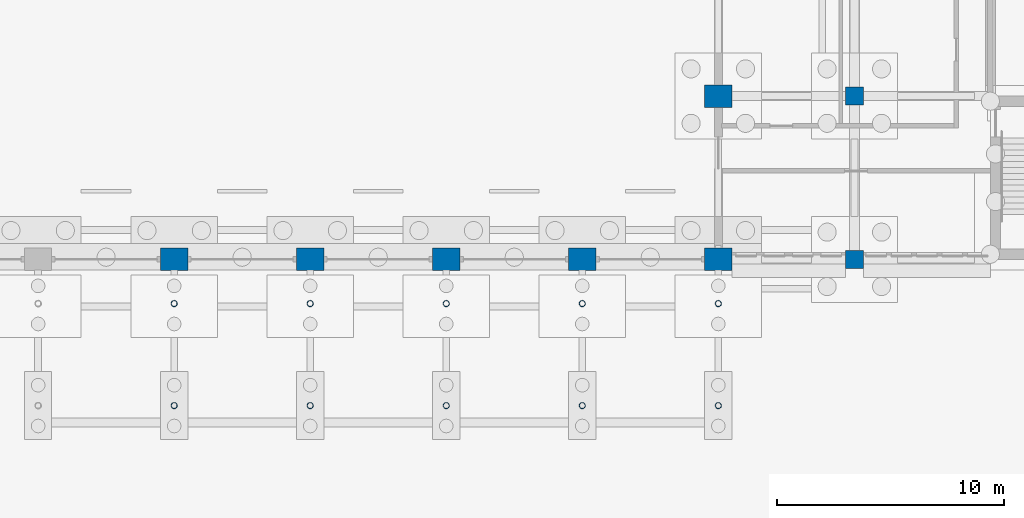
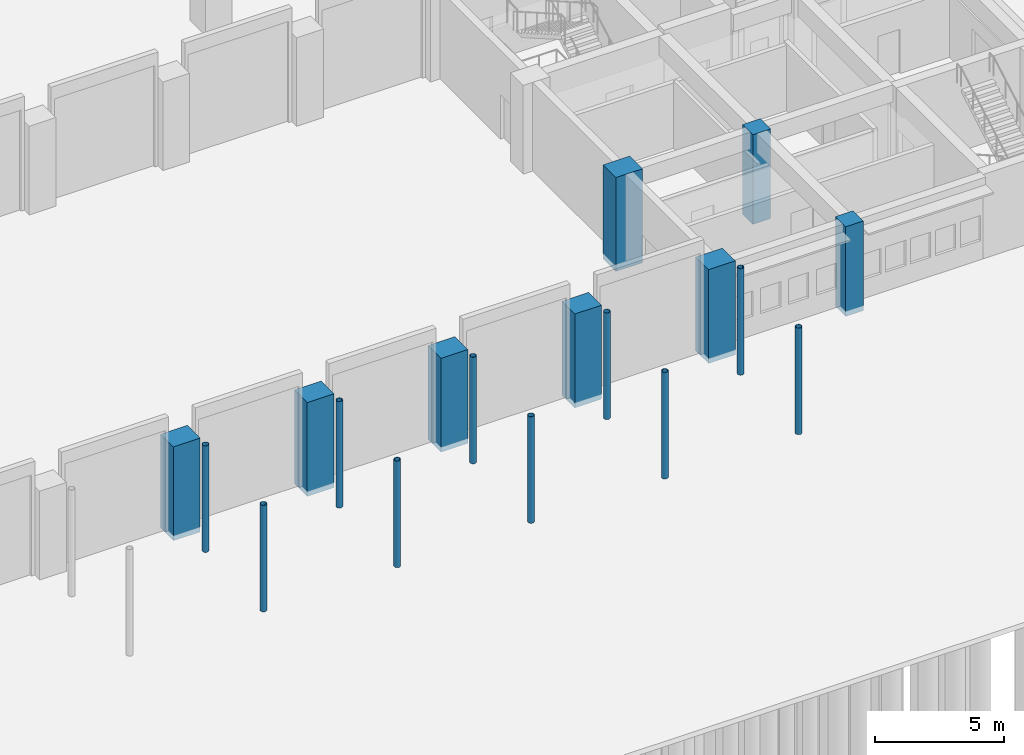
# One storey, part 10 of 37: 18 columns.
"""IFC4 building model written with IfcOpenShell, lengths in metres."""

from ifc_helpers import new_model, si_unit, direction, frame, origin, origin_2d, place, context, subcontext, project, spatial, rectangle, hollow_circle, extrude, material, material_profile, profile_set, type_object, element, save


model = new_model("IFC4")

# Units and contexts
model_context = context("Model", 3, precision=1e-05, world=origin(), true_north=direction((0.0, 1.0)))
body_context = subcontext(model_context, "Body", "Model", "MODEL_VIEW")
ifc_project = project(units=[si_unit("LENGTHUNIT", "METRE"), si_unit("AREAUNIT", "SQUARE_METRE"), si_unit("VOLUMEUNIT", "CUBIC_METRE"), si_unit("PLANEANGLEUNIT", "RADIAN"), si_unit("MASSUNIT", "GRAM", prefix="KILO")], contexts=[model_context])

# Site, building, storey
site_placement = place(None, origin())
site = spatial("IfcSite", under=ifc_project, at=site_placement, CompositionType="ELEMENT")
building_placement = place(site_placement, origin())
building = spatial("IfcBuilding", under=site, at=building_placement, Name="Laocheng Heights Fire and Rescue Headquarters", CompositionType="ELEMENT")
storey_placement = place(building_placement, origin())
storey = spatial("IfcBuildingStorey", under=building, at=storey_placement, Name="L00", CompositionType="ELEMENT", Elevation=0.0)

# Columns
ifc_material_1 = material(Name="Steel Q355B", Category="steel")
ifc_material_profile_1 = material_profile(ifc_material_1, hollow_circle(Radius=0.136474609375, WallThickness=0.011962890625, at=origin_2d()), Name="CHS 273x12")
ifc_profile_set_1 = profile_set([ifc_material_profile_1], Name="Steel Q355B")
column_type_1 = type_object("IfcColumnType", Name="APRON CANOPY COLUMN CHS 273x12", PredefinedType="COLUMN", material=ifc_profile_set_1)
for number, where, z_axis, x_axis, name in (
    (1, (30.0, -6.449951171875, -0.12890625), (0.0, 0.0, 1.0), (1.0, 0.0, 0.0), "Apron canopy column"),
    (2, (36.0, -6.449951171875, -0.12890625), (0.0, 0.0, 1.0), (1.0, 0.0, 0.0), "Apron canopy column"),
    (3, (42.0, -6.449951171875, -0.12890625), (0.0, 0.0, 1.0), (1.0, 0.0, 0.0), "Apron canopy column"),
    (4, (48.0, -6.449951171875, -0.12890625), (0.0, 0.0, 1.0), (1.0, 0.0, 0.0), "Apron canopy column"),
    (5, (54.0, -6.449951171875, -0.12890625), (0.0, 0.0, 1.0), (1.0, 0.0, 0.0), "Apron canopy column"),
):
    element("IfcColumn", number, at=place(storey_placement, frame(where, z_axis=z_axis, x_axis=x_axis)), inside=storey, type_object=column_type_1, Name=name, PredefinedType="COLUMN", context=body_context, shape_type="SweptSolid", body=[
        extrude(hollow_circle(Radius=0.136474609375, WallThickness=0.011962890625, at=origin_2d()), origin(), (0.0, 0.0, 1.0), 5.049072265625),
    ])
for number, where, z_axis, x_axis, name in (
    (6, (30.0, -1.949951171875, -0.0390625), (0.0, 0.0, 1.0), (1.0, 0.0, 0.0), "Apron canopy column"),
    (7, (36.0, -1.949951171875, -0.0390625), (0.0, 0.0, 1.0), (1.0, 0.0, 0.0), "Apron canopy column"),
    (8, (42.0, -1.949951171875, -0.0390625), (0.0, 0.0, 1.0), (1.0, 0.0, 0.0), "Apron canopy column"),
    (9, (48.0, -1.949951171875, -0.0390625), (0.0, 0.0, 1.0), (1.0, 0.0, 0.0), "Apron canopy column"),
    (10, (54.0, -1.949951171875, -0.0390625), (0.0, 0.0, 1.0), (1.0, 0.0, 0.0), "Apron canopy column"),
):
    element("IfcColumn", number, at=place(storey_placement, frame(where, z_axis=z_axis, x_axis=x_axis)), inside=storey, type_object=column_type_1, Name=name, PredefinedType="COLUMN", context=body_context, shape_type="SweptSolid", body=[
        extrude(hollow_circle(Radius=0.136474609375, WallThickness=0.011962890625, at=origin_2d()), origin(), (0.0, 0.0, 1.0), 5.04931640625),
    ])
ifc_material_2 = material(Name="Concrete C60", Category="concrete")
ifc_material_profile_2 = material_profile(ifc_material_2, rectangle(XDim=1.199951171875, YDim=1.0, at=origin_2d()), Name="RC COLUMN 1200x1000 BAY PIER")
ifc_profile_set_2 = profile_set([ifc_material_profile_2], Name="Concrete C60")
column_type_2 = type_object("IfcColumnType", Name="RC COLUMN 1200x1000 BAY PIER", PredefinedType="COLUMN", material=ifc_profile_set_2)
for number, where, z_axis, x_axis, name in (
    (11, (30.0, 0.0, -0.25), (0.0, 0.0, 1.0), (1.0, 0.0, 0.0), "Bay pier 6/A"),
    (12, (36.0, 0.0, -0.25), (0.0, 0.0, 1.0), (1.0, 0.0, 0.0), "Bay pier 7/A"),
    (13, (42.0, 0.0, -0.25), (0.0, 0.0, 1.0), (1.0, 0.0, 0.0), "Bay pier 8/A"),
    (14, (48.0, 0.0, -0.25), (0.0, 0.0, 1.0), (1.0, 0.0, 0.0), "Bay pier 9/A"),
    (15, (54.0, 0.0, -0.25), (0.0, 0.0, 1.0), (1.0, 0.0, 0.0), "Bay pier 10/A"),
    (16, (54.0, 7.199951171875, -0.25), (0.0, 0.0, 1.0), (1.0, 0.0, 0.0), "Bay pier 10/B"),
):
    element("IfcColumn", number, at=place(storey_placement, frame(where, z_axis=z_axis, x_axis=x_axis)), inside=storey, type_object=column_type_2, Name=name, PredefinedType="COLUMN", context=body_context, shape_type="SweptSolid", body=[
        extrude(rectangle(XDim=1.199951171875, YDim=1.0, at=origin_2d()), origin(), (0.0, 0.0, 1.0), 4.449951171875),
    ])
ifc_material_3 = material(Name="Concrete C50", Category="concrete")
ifc_material_profile_3 = material_profile(ifc_material_3, rectangle(XDim=0.800048828125, YDim=0.800048828125, at=origin_2d()), Name="RC COLUMN 800x800 PAVILION")
ifc_profile_set_3 = profile_set([ifc_material_profile_3], Name="Concrete C50")
column_type_3 = type_object("IfcColumnType", Name="RC COLUMN 800x800 PAVILION", PredefinedType="COLUMN", material=ifc_profile_set_3)
for number, where, z_axis, x_axis, name in (
    (17, (60.0, 0.0, -0.25), (0.0, 0.0, 1.0), (1.0, 0.0, 0.0), "Pavilion column"),
    (18, (60.0, 7.199951171875, -0.25), (0.0, 0.0, 1.0), (1.0, 0.0, 0.0), "Pavilion column"),
):
    element("IfcColumn", number, at=place(storey_placement, frame(where, z_axis=z_axis, x_axis=x_axis)), inside=storey, type_object=column_type_3, Name=name, PredefinedType="COLUMN", context=body_context, shape_type="SweptSolid", body=[
        extrude(rectangle(XDim=0.800048828125, YDim=0.800048828125, at=origin_2d()), origin(), (0.0, 0.0, 1.0), 4.25),
    ])

save(model, "model.ifc")
